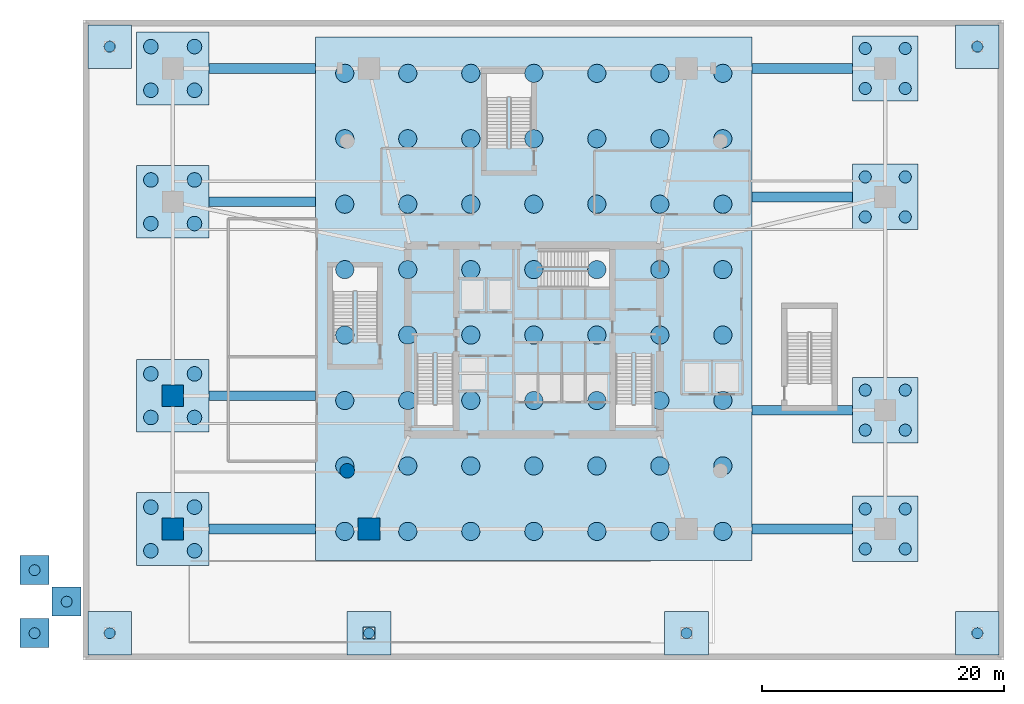
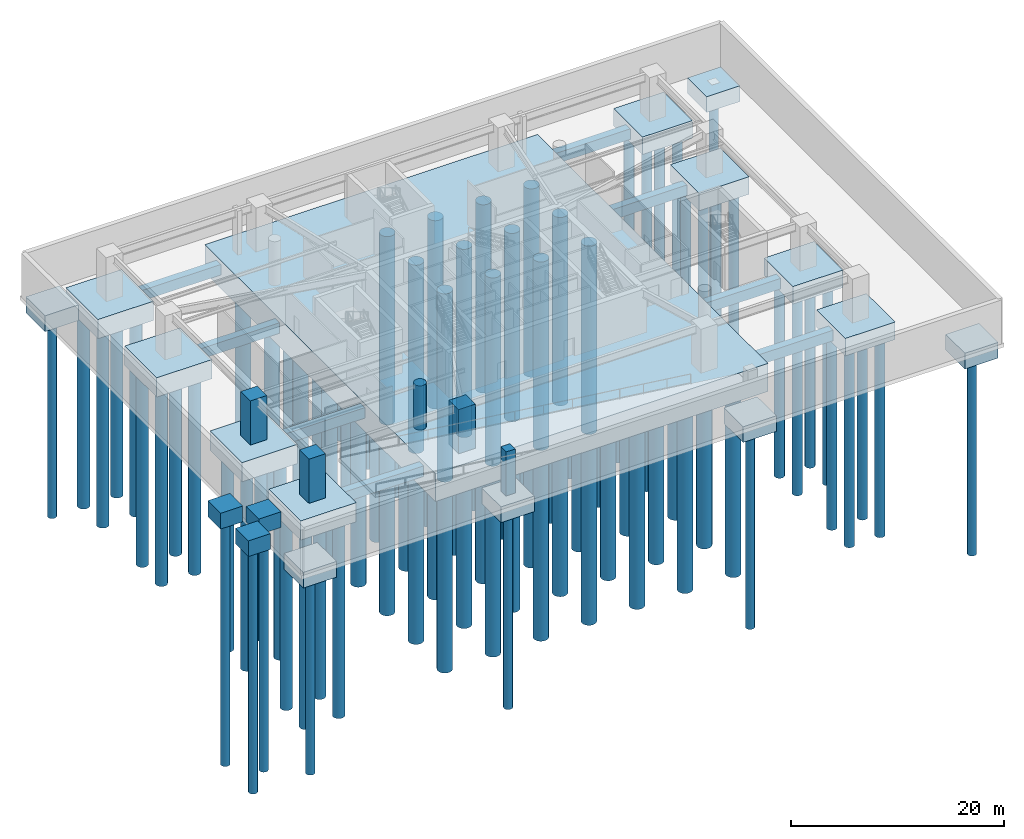
# One storey, part 1 of 11: 97 piles, 26 footings, 5 columns.
"""IFC4 building model written with IfcOpenShell, lengths in metres."""

from ifc_helpers import new_model, si_unit, direction, frame, origin, origin_2d, place, context, subcontext, project, spatial, rectangle, circle, extrude, material, layer, layer_set, material_profile, profile_set, type_object, element, save


model = new_model("IFC4")

# Units and contexts
model_context = context("Model", 3, precision=1e-05, world=origin(), true_north=direction((0.0, 1.0)))
body_context = subcontext(model_context, "Body", "Model", "MODEL_VIEW")
ifc_project = project(units=[si_unit("LENGTHUNIT", "METRE"), si_unit("AREAUNIT", "SQUARE_METRE"), si_unit("VOLUMEUNIT", "CUBIC_METRE"), si_unit("PLANEANGLEUNIT", "RADIAN"), si_unit("MASSUNIT", "GRAM", prefix="KILO")], contexts=[model_context])

# Site, building, storey
site_placement = place(None, origin())
site = spatial("IfcSite", under=ifc_project, at=site_placement, CompositionType="ELEMENT")
building_placement = place(site_placement, origin())
building = spatial("IfcBuilding", under=site, at=building_placement, Name="Qarnah Convention Tower", CompositionType="ELEMENT")
storey_placement = place(building_placement, frame((0.0, 0.0, -5.39990234375)))
storey = spatial("IfcBuildingStorey", under=building, at=storey_placement, Name="B1", CompositionType="ELEMENT", Elevation=-5.39990234375)

# Footings
ifc_material_1 = material(Name="Concrete C50/60", Category="concrete")
ifc_layer_1 = layer(ifc_material_1, 1.199951171875)
ifc_layer_set_1 = layer_set([ifc_layer_1], Name="Concrete C50/60")
footing_type_1 = type_object("IfcFootingType", Name="FT-FBM-800X1200", PredefinedType="FOOTING_BEAM", material=ifc_layer_set_1)
for number, where, z_axis, x_axis, name in (
    (1, (14.800048828125, 10.800048828125, -1.64990234375), (0.0, 0.0, 1.0), (1.0, 0.0, 0.0), "Foundation tie beam 01"),
    (2, (14.800048828125, 21.800048828125, -1.64990234375), (0.0, 0.0, 1.0), (1.0, 0.0, 0.0), "Foundation tie beam 02"),
    (3, (14.800048828125, 37.800048828125, -1.64990234375), (0.0, 0.0, 1.0), (1.0, 0.0, 0.0), "Foundation tie beam 03"),
    (4, (14.800048828125, 48.800048828125, -1.64990234375), (0.0, 0.0, 1.0), (1.0, 0.0, 0.0), "Foundation tie beam 04"),
):
    element("IfcFooting", number, at=place(storey_placement, frame(where, z_axis=z_axis, x_axis=x_axis)), inside=storey, type_object=footing_type_1, Name=name, PredefinedType="FOOTING_BEAM", context=body_context, shape_type="SweptSolid", body=[
        extrude(rectangle(XDim=8.800048828125, YDim=0.800048828125, at=origin_2d()), origin(), (0.0, 0.0, 1.0), 1.199951171875),
    ])
for number, where, z_axis, x_axis, name in (
    (5, (59.35009765625, 10.800048828125, -1.64990234375), (0.0, 0.0, 1.0), (1.0, 0.0, 0.0), "Foundation tie beam 05"),
    (6, (59.35009765625, 20.60009765625, -1.64990234375), (0.0, 0.0, 1.0), (1.0, 0.0, 0.0), "Foundation tie beam 06"),
    (7, (59.35009765625, 38.199951171875, -1.64990234375), (0.0, 0.0, 1.0), (1.0, 0.0, 0.0), "Foundation tie beam 07"),
    (8, (59.35009765625, 48.800048828125, -1.64990234375), (0.0, 0.0, 1.0), (1.0, 0.0, 0.0), "Foundation tie beam 08"),
):
    element("IfcFooting", number, at=place(storey_placement, frame(where, z_axis=z_axis, x_axis=x_axis)), inside=storey, type_object=footing_type_1, Name=name, PredefinedType="FOOTING_BEAM", context=body_context, shape_type="SweptSolid", body=[
        extrude(rectangle(XDim=8.300048828125, YDim=0.800048828125, at=origin_2d()), origin(), (0.0, 0.0, 1.0), 1.199951171875),
    ])
ifc_layer_2 = layer(ifc_material_1, 1.800048828125)
ifc_layer_set_2 = layer_set([ifc_layer_2], Name="Concrete C50/60")
footing_type_2 = type_object("IfcFootingType", Name="FT-PAD-3600", PredefinedType="PAD_FOOTING", material=ifc_layer_set_2)
for number, where, z_axis, x_axis, name in (
    (9, (2.199951171875, 2.199951171875, -1.80029296875), (0.0, 0.0, 1.0), (1.0, 0.0, 0.0), "Perimeter pad footing 01"),
    (10, (73.800048828125, 2.199951171875, -1.80029296875), (0.0, 0.0, 1.0), (1.0, 0.0, 0.0), "Perimeter pad footing 02"),
    (11, (73.800048828125, 50.60009765625, -1.80029296875), (0.0, 0.0, 1.0), (1.0, 0.0, 0.0), "Perimeter pad footing 03"),
    (12, (2.199951171875, 50.60009765625, -1.80029296875), (0.0, 0.0, 1.0), (1.0, 0.0, 0.0), "Perimeter pad footing 04"),
    (13, (23.60009765625, 2.199951171875, -1.80029296875), (0.0, 0.0, 1.0), (1.0, 0.0, 0.0), "Perimeter pad footing 05"),
    (14, (49.800048828125, 2.199951171875, -1.80029296875), (0.0, 0.0, 1.0), (1.0, 0.0, 0.0), "Perimeter pad footing 06"),
):
    element("IfcFooting", number, at=place(storey_placement, frame(where, z_axis=z_axis, x_axis=x_axis)), inside=storey, type_object=footing_type_2, Name=name, PredefinedType="PAD_FOOTING", context=body_context, shape_type="SweptSolid", body=[
        extrude(rectangle(XDim=3.60009765625, YDim=3.60009765625, at=origin_2d()), origin(), (0.0, 0.0, 1.0), 1.800048828125),
    ])
for number, where, z_axis, x_axis, name in (
    (15, (-4.0, 2.199951171875, 3.39990234375), (0.0, 0.0, 1.0), (1.0, 0.0, 0.0), "Ramp apron grade footing 1"),
    (16, (-4.0, 7.39990234375, 3.39990234375), (0.0, 0.0, 1.0), (1.0, 0.0, 0.0), "Ramp apron grade footing 2"),
    (17, (-1.35009765625, 4.800048828125, 3.39990234375), (0.0, 0.0, 1.0), (1.0, 0.0, 0.0), "Ramp apron east pad footing"),
):
    element("IfcFooting", number, at=place(storey_placement, frame(where, z_axis=z_axis, x_axis=x_axis)), inside=storey, type_object=footing_type_2, Name=name, PredefinedType="PAD_FOOTING", context=body_context, shape_type="SweptSolid", body=[
        extrude(rectangle(XDim=2.39990234375, YDim=2.39990234375, at=origin_2d()), origin(), (0.0, 0.0, 1.0), 1.800048828125),
    ])
ifc_layer_3 = layer(ifc_material_1, 2.0)
ifc_layer_set_3 = layer_set([ifc_layer_3], Name="Concrete C50/60")
footing_type_3 = type_object("IfcFootingType", Name="FT-PCAP-5400", PredefinedType="PILE_CAP", material=ifc_layer_set_3)
for number, where, z_axis, x_axis, name in (
    (18, (66.199951171875, 10.800048828125, -2.0), (0.0, 0.0, 1.0), (1.0, 0.0, 0.0), "Podium pile cap MC-04"),
    (19, (66.199951171875, 20.60009765625, -2.0), (0.0, 0.0, 1.0), (1.0, 0.0, 0.0), "Podium pile cap MC-05"),
    (20, (66.199951171875, 38.199951171875, -2.0), (0.0, 0.0, 1.0), (1.0, 0.0, 0.0), "Podium pile cap MC-06"),
    (21, (66.199951171875, 48.800048828125, -2.0), (0.0, 0.0, 1.0), (1.0, 0.0, 0.0), "Podium pile cap MC-07"),
):
    element("IfcFooting", number, at=place(storey_placement, frame(where, z_axis=z_axis, x_axis=x_axis)), inside=storey, type_object=footing_type_3, Name=name, PredefinedType="PILE_CAP", context=body_context, shape_type="SweptSolid", body=[
        extrude(rectangle(XDim=5.39990234375, YDim=5.39990234375, at=origin_2d()), origin(), (0.0, 0.0, 1.0), 2.0),
    ])
ifc_layer_4 = layer(ifc_material_1, 2.199951171875)
ifc_layer_set_4 = layer_set([ifc_layer_4], Name="Concrete C50/60")
footing_type_4 = type_object("IfcFootingType", Name="FT-PCAP-6000", PredefinedType="PILE_CAP", material=ifc_layer_set_4)
for number, where, z_axis, x_axis, name in (
    (22, (7.39990234375, 10.800048828125, -2.2001953125), (0.0, 0.0, 1.0), (1.0, 0.0, 0.0), "Podium pile cap MC-01"),
    (23, (7.39990234375, 21.800048828125, -2.2001953125), (0.0, 0.0, 1.0), (1.0, 0.0, 0.0), "Podium pile cap MC-12"),
    (24, (7.39990234375, 37.800048828125, -2.2001953125), (0.0, 0.0, 1.0), (1.0, 0.0, 0.0), "Podium pile cap MC-11"),
    (25, (7.39990234375, 48.800048828125, -2.2001953125), (0.0, 0.0, 1.0), (1.0, 0.0, 0.0), "Podium pile cap MC-10"),
):
    element("IfcFooting", number, at=place(storey_placement, frame(where, z_axis=z_axis, x_axis=x_axis)), inside=storey, type_object=footing_type_4, Name=name, PredefinedType="PILE_CAP", context=body_context, shape_type="SweptSolid", body=[
        extrude(rectangle(XDim=6.0, YDim=6.0, at=origin_2d()), origin(), (0.0, 0.0, 1.0), 2.199951171875),
    ])
ifc_layer_5 = layer(ifc_material_1, 3.199951171875)
ifc_layer_set_5 = layer_set([ifc_layer_5], Name="Concrete C50/60")
footing_type_5 = type_object("IfcFootingType", Name="FT-RAFT-3200", PredefinedType="CAISSON_FOUNDATION", material=ifc_layer_set_5)
footing_placement = place(storey_placement, frame((37.199951171875, 29.800048828125, -3.2001953125), z_axis=(0.0, 0.0, 1.0), x_axis=(1.0, 0.0, 0.0)))
element("IfcFooting", 26, at=footing_placement, inside=storey, type_object=footing_type_5, Name="Tower piled raft foundation RF1", PredefinedType="CAISSON_FOUNDATION", context=body_context, shape_type="SweptSolid", body=[
    extrude(rectangle(XDim=36.0, YDim=43.199951171875, at=origin_2d()), origin(), (0.0, 0.0, 1.0), 3.199951171875),
])

# Piles
ifc_material_profile_1 = material_profile(ifc_material_1, circle(Radius=0.60009765625, at=origin_2d()), Name="PILE-D1200")
ifc_profile_set_1 = profile_set([ifc_material_profile_1], Name="Concrete C50/60")
pile_type_1 = type_object("IfcPileType", Name="PL-BORED-1200", PredefinedType="BORED", material=ifc_profile_set_1)
for number, where, z_axis, x_axis, name in (
    (27, (5.60009765625, 9.0, -2.050048828125), (0.0, 0.0, -1.0), (1.0, 0.0, 0.0), "Bored pile PILE-CAP01-1"),
    (28, (5.60009765625, 12.60009765625, -2.050048828125), (0.0, 0.0, -1.0), (1.0, 0.0, 0.0), "Bored pile PILE-CAP01-2"),
    (29, (9.199951171875, 9.0, -2.050048828125), (0.0, 0.0, -1.0), (1.0, 0.0, 0.0), "Bored pile PILE-CAP01-3"),
    (30, (9.199951171875, 12.60009765625, -2.050048828125), (0.0, 0.0, -1.0), (1.0, 0.0, 0.0), "Bored pile PILE-CAP01-4"),
    (31, (5.60009765625, 20.0, -2.050048828125), (0.0, 0.0, -1.0), (1.0, 0.0, 0.0), "Bored pile PILE-CAP02-1"),
    (32, (5.60009765625, 23.60009765625, -2.050048828125), (0.0, 0.0, -1.0), (1.0, 0.0, 0.0), "Bored pile PILE-CAP02-2"),
    (33, (9.199951171875, 20.0, -2.050048828125), (0.0, 0.0, -1.0), (1.0, 0.0, 0.0), "Bored pile PILE-CAP02-3"),
    (34, (9.199951171875, 23.60009765625, -2.050048828125), (0.0, 0.0, -1.0), (1.0, 0.0, 0.0), "Bored pile PILE-CAP02-4"),
    (35, (5.60009765625, 36.0, -2.050048828125), (0.0, 0.0, -1.0), (1.0, 0.0, 0.0), "Bored pile PILE-CAP03-1"),
    (36, (5.60009765625, 39.60009765625, -2.050048828125), (0.0, 0.0, -1.0), (1.0, 0.0, 0.0), "Bored pile PILE-CAP03-2"),
    (37, (9.199951171875, 36.0, -2.050048828125), (0.0, 0.0, -1.0), (1.0, 0.0, 0.0), "Bored pile PILE-CAP03-3"),
    (38, (9.199951171875, 39.60009765625, -2.050048828125), (0.0, 0.0, -1.0), (1.0, 0.0, 0.0), "Bored pile PILE-CAP03-4"),
    (39, (5.60009765625, 47.0, -2.050048828125), (0.0, 0.0, -1.0), (1.0, 0.0, 0.0), "Bored pile PILE-CAP04-1"),
    (40, (5.60009765625, 50.60009765625, -2.050048828125), (0.0, 0.0, -1.0), (1.0, 0.0, 0.0), "Bored pile PILE-CAP04-2"),
    (41, (9.199951171875, 47.0, -2.050048828125), (0.0, 0.0, -1.0), (1.0, 0.0, 0.0), "Bored pile PILE-CAP04-3"),
    (42, (9.199951171875, 50.60009765625, -2.050048828125), (0.0, 0.0, -1.0), (1.0, 0.0, 0.0), "Bored pile PILE-CAP04-4"),
):
    element("IfcPile", number, at=place(storey_placement, frame(where, z_axis=z_axis, x_axis=x_axis)), inside=storey, type_object=pile_type_1, Name=name, PredefinedType="BORED", context=body_context, shape_type="SweptSolid", body=[
        extrude(circle(Radius=0.60009765625, at=origin_2d()), origin(), (0.0, 0.0, 1.0), 22.550048828125),
    ])
ifc_material_profile_2 = material_profile(ifc_material_1, circle(Radius=0.75, at=origin_2d()), Name="PILE-D1500")
ifc_profile_set_2 = profile_set([ifc_material_profile_2], Name="Concrete C50/60")
pile_type_2 = type_object("IfcPileType", Name="PL-BORED-1500", PredefinedType="BORED", material=ifc_profile_set_2)
for number, where, z_axis, x_axis, name in (
    (43, (21.60009765625, 10.60009765625, -3.050048828125), (0.0, 0.0, -1.0), (1.0, 0.0, 0.0), "Bored pile PILE-RF-001"),
    (44, (21.60009765625, 16.0, -3.050048828125), (0.0, 0.0, -1.0), (1.0, 0.0, 0.0), "Bored pile PILE-RF-002"),
    (45, (21.60009765625, 21.39990234375, -3.050048828125), (0.0, 0.0, -1.0), (1.0, 0.0, 0.0), "Bored pile PILE-RF-003"),
    (46, (21.60009765625, 26.800048828125, -3.050048828125), (0.0, 0.0, -1.0), (1.0, 0.0, 0.0), "Bored pile PILE-RF-004"),
    (47, (21.60009765625, 32.199951171875, -3.050048828125), (0.0, 0.0, -1.0), (1.0, 0.0, 0.0), "Bored pile PILE-RF-005"),
    (48, (21.60009765625, 37.60009765625, -3.050048828125), (0.0, 0.0, -1.0), (1.0, 0.0, 0.0), "Bored pile PILE-RF-006"),
    (49, (21.60009765625, 43.0, -3.050048828125), (0.0, 0.0, -1.0), (1.0, 0.0, 0.0), "Bored pile PILE-RF-007"),
    (50, (21.60009765625, 48.39990234375, -3.050048828125), (0.0, 0.0, -1.0), (1.0, 0.0, 0.0), "Bored pile PILE-RF-008"),
    (51, (26.800048828125, 10.60009765625, -3.050048828125), (0.0, 0.0, -1.0), (1.0, 0.0, 0.0), "Bored pile PILE-RF-009"),
    (52, (26.800048828125, 16.0, -3.050048828125), (0.0, 0.0, -1.0), (1.0, 0.0, 0.0), "Bored pile PILE-RF-010"),
    (53, (26.800048828125, 21.39990234375, -3.050048828125), (0.0, 0.0, -1.0), (1.0, 0.0, 0.0), "Bored pile PILE-RF-011"),
    (54, (26.800048828125, 26.800048828125, -3.050048828125), (0.0, 0.0, -1.0), (1.0, 0.0, 0.0), "Bored pile PILE-RF-012"),
    (55, (26.800048828125, 32.199951171875, -3.050048828125), (0.0, 0.0, -1.0), (1.0, 0.0, 0.0), "Bored pile PILE-RF-013"),
    (56, (26.800048828125, 37.60009765625, -3.050048828125), (0.0, 0.0, -1.0), (1.0, 0.0, 0.0), "Bored pile PILE-RF-014"),
    (57, (26.800048828125, 43.0, -3.050048828125), (0.0, 0.0, -1.0), (1.0, 0.0, 0.0), "Bored pile PILE-RF-015"),
    (58, (26.800048828125, 48.39990234375, -3.050048828125), (0.0, 0.0, -1.0), (1.0, 0.0, 0.0), "Bored pile PILE-RF-016"),
    (59, (32.0, 10.60009765625, -3.050048828125), (0.0, 0.0, -1.0), (1.0, 0.0, 0.0), "Bored pile PILE-RF-017"),
    (60, (32.0, 16.0, -3.050048828125), (0.0, 0.0, -1.0), (1.0, 0.0, 0.0), "Bored pile PILE-RF-018"),
    (61, (32.0, 21.39990234375, -3.050048828125), (0.0, 0.0, -1.0), (1.0, 0.0, 0.0), "Bored pile PILE-RF-019"),
    (62, (32.0, 26.800048828125, -3.050048828125), (0.0, 0.0, -1.0), (1.0, 0.0, 0.0), "Bored pile PILE-RF-020"),
    (63, (32.0, 32.199951171875, -3.050048828125), (0.0, 0.0, -1.0), (1.0, 0.0, 0.0), "Bored pile PILE-RF-021"),
    (64, (32.0, 37.60009765625, -3.050048828125), (0.0, 0.0, -1.0), (1.0, 0.0, 0.0), "Bored pile PILE-RF-022"),
    (65, (32.0, 43.0, -3.050048828125), (0.0, 0.0, -1.0), (1.0, 0.0, 0.0), "Bored pile PILE-RF-023"),
    (66, (32.0, 48.39990234375, -3.050048828125), (0.0, 0.0, -1.0), (1.0, 0.0, 0.0), "Bored pile PILE-RF-024"),
    (67, (37.199951171875, 10.60009765625, -3.050048828125), (0.0, 0.0, -1.0), (1.0, 0.0, 0.0), "Bored pile PILE-RF-025"),
    (68, (37.199951171875, 16.0, -3.050048828125), (0.0, 0.0, -1.0), (1.0, 0.0, 0.0), "Bored pile PILE-RF-026"),
    (69, (37.199951171875, 21.39990234375, -3.050048828125), (0.0, 0.0, -1.0), (1.0, 0.0, 0.0), "Bored pile PILE-RF-027"),
    (70, (37.199951171875, 26.800048828125, -3.050048828125), (0.0, 0.0, -1.0), (1.0, 0.0, 0.0), "Bored pile PILE-RF-028"),
    (71, (37.199951171875, 32.199951171875, -3.050048828125), (0.0, 0.0, -1.0), (1.0, 0.0, 0.0), "Bored pile PILE-RF-029"),
    (72, (37.199951171875, 37.60009765625, -3.050048828125), (0.0, 0.0, -1.0), (1.0, 0.0, 0.0), "Bored pile PILE-RF-030"),
    (73, (37.199951171875, 43.0, -3.050048828125), (0.0, 0.0, -1.0), (1.0, 0.0, 0.0), "Bored pile PILE-RF-031"),
    (74, (37.199951171875, 48.39990234375, -3.050048828125), (0.0, 0.0, -1.0), (1.0, 0.0, 0.0), "Bored pile PILE-RF-032"),
    (75, (42.39990234375, 10.60009765625, -3.050048828125), (0.0, 0.0, -1.0), (1.0, 0.0, 0.0), "Bored pile PILE-RF-033"),
    (76, (42.39990234375, 16.0, -3.050048828125), (0.0, 0.0, -1.0), (1.0, 0.0, 0.0), "Bored pile PILE-RF-034"),
    (77, (42.39990234375, 21.39990234375, -3.050048828125), (0.0, 0.0, -1.0), (1.0, 0.0, 0.0), "Bored pile PILE-RF-035"),
    (78, (42.39990234375, 26.800048828125, -3.050048828125), (0.0, 0.0, -1.0), (1.0, 0.0, 0.0), "Bored pile PILE-RF-036"),
    (79, (42.39990234375, 32.199951171875, -3.050048828125), (0.0, 0.0, -1.0), (1.0, 0.0, 0.0), "Bored pile PILE-RF-037"),
    (80, (42.39990234375, 37.60009765625, -3.050048828125), (0.0, 0.0, -1.0), (1.0, 0.0, 0.0), "Bored pile PILE-RF-038"),
    (81, (42.39990234375, 43.0, -3.050048828125), (0.0, 0.0, -1.0), (1.0, 0.0, 0.0), "Bored pile PILE-RF-039"),
    (82, (42.39990234375, 48.39990234375, -3.050048828125), (0.0, 0.0, -1.0), (1.0, 0.0, 0.0), "Bored pile PILE-RF-040"),
    (83, (47.60009765625, 10.60009765625, -3.050048828125), (0.0, 0.0, -1.0), (1.0, 0.0, 0.0), "Bored pile PILE-RF-041"),
    (84, (47.60009765625, 16.0, -3.050048828125), (0.0, 0.0, -1.0), (1.0, 0.0, 0.0), "Bored pile PILE-RF-042"),
    (85, (47.60009765625, 21.39990234375, -3.050048828125), (0.0, 0.0, -1.0), (1.0, 0.0, 0.0), "Bored pile PILE-RF-043"),
    (86, (47.60009765625, 26.800048828125, -3.050048828125), (0.0, 0.0, -1.0), (1.0, 0.0, 0.0), "Bored pile PILE-RF-044"),
    (87, (47.60009765625, 32.199951171875, -3.050048828125), (0.0, 0.0, -1.0), (1.0, 0.0, 0.0), "Bored pile PILE-RF-045"),
    (88, (47.60009765625, 37.60009765625, -3.050048828125), (0.0, 0.0, -1.0), (1.0, 0.0, 0.0), "Bored pile PILE-RF-046"),
    (89, (47.60009765625, 43.0, -3.050048828125), (0.0, 0.0, -1.0), (1.0, 0.0, 0.0), "Bored pile PILE-RF-047"),
    (90, (47.60009765625, 48.39990234375, -3.050048828125), (0.0, 0.0, -1.0), (1.0, 0.0, 0.0), "Bored pile PILE-RF-048"),
    (91, (52.800048828125, 10.60009765625, -3.050048828125), (0.0, 0.0, -1.0), (1.0, 0.0, 0.0), "Bored pile PILE-RF-049"),
    (92, (52.800048828125, 16.0, -3.050048828125), (0.0, 0.0, -1.0), (1.0, 0.0, 0.0), "Bored pile PILE-RF-050"),
    (93, (52.800048828125, 21.39990234375, -3.050048828125), (0.0, 0.0, -1.0), (1.0, 0.0, 0.0), "Bored pile PILE-RF-051"),
    (94, (52.800048828125, 26.800048828125, -3.050048828125), (0.0, 0.0, -1.0), (1.0, 0.0, 0.0), "Bored pile PILE-RF-052"),
    (95, (52.800048828125, 32.199951171875, -3.050048828125), (0.0, 0.0, -1.0), (1.0, 0.0, 0.0), "Bored pile PILE-RF-053"),
    (96, (52.800048828125, 37.60009765625, -3.050048828125), (0.0, 0.0, -1.0), (1.0, 0.0, 0.0), "Bored pile PILE-RF-054"),
    (97, (52.800048828125, 43.0, -3.050048828125), (0.0, 0.0, -1.0), (1.0, 0.0, 0.0), "Bored pile PILE-RF-055"),
    (98, (52.800048828125, 48.39990234375, -3.050048828125), (0.0, 0.0, -1.0), (1.0, 0.0, 0.0), "Bored pile PILE-RF-056"),
):
    element("IfcPile", number, at=place(storey_placement, frame(where, z_axis=z_axis, x_axis=x_axis)), inside=storey, type_object=pile_type_2, Name=name, PredefinedType="BORED", context=body_context, shape_type="SweptSolid", body=[
        extrude(circle(Radius=0.75, at=origin_2d()), origin(), (0.0, 0.0, 1.0), 21.550048828125),
    ])
ifc_material_profile_3 = material_profile(ifc_material_1, circle(Radius=0.5, at=origin_2d()), Name="PILE-D1000")
ifc_profile_set_3 = profile_set([ifc_material_profile_3], Name="Concrete C50/60")
pile_type_3 = type_object("IfcPileType", Name="PL-SUPP-1000", PredefinedType="SUPPORT", material=ifc_profile_set_3)
for number, where, z_axis, x_axis, name in (
    (99, (64.550048828125, 9.14990234375, -1.85009765625), (0.0, 0.0, -1.0), (1.0, 0.0, 0.0), "Bored pile PILE-CAP05-1"),
    (100, (64.550048828125, 12.449951171875, -1.85009765625), (0.0, 0.0, -1.0), (1.0, 0.0, 0.0), "Bored pile PILE-CAP05-2"),
    (101, (67.85009765625, 9.14990234375, -1.85009765625), (0.0, 0.0, -1.0), (1.0, 0.0, 0.0), "Bored pile PILE-CAP05-3"),
    (102, (67.85009765625, 12.449951171875, -1.85009765625), (0.0, 0.0, -1.0), (1.0, 0.0, 0.0), "Bored pile PILE-CAP05-4"),
    (103, (64.550048828125, 18.949951171875, -1.85009765625), (0.0, 0.0, -1.0), (1.0, 0.0, 0.0), "Bored pile PILE-CAP06-1"),
    (104, (64.550048828125, 22.25, -1.85009765625), (0.0, 0.0, -1.0), (1.0, 0.0, 0.0), "Bored pile PILE-CAP06-2"),
    (105, (67.85009765625, 18.949951171875, -1.85009765625), (0.0, 0.0, -1.0), (1.0, 0.0, 0.0), "Bored pile PILE-CAP06-3"),
    (106, (67.85009765625, 22.25, -1.85009765625), (0.0, 0.0, -1.0), (1.0, 0.0, 0.0), "Bored pile PILE-CAP06-4"),
    (107, (64.550048828125, 36.550048828125, -1.85009765625), (0.0, 0.0, -1.0), (1.0, 0.0, 0.0), "Bored pile PILE-CAP07-1"),
    (108, (64.550048828125, 39.85009765625, -1.85009765625), (0.0, 0.0, -1.0), (1.0, 0.0, 0.0), "Bored pile PILE-CAP07-2"),
    (109, (67.85009765625, 36.550048828125, -1.85009765625), (0.0, 0.0, -1.0), (1.0, 0.0, 0.0), "Bored pile PILE-CAP07-3"),
    (110, (67.85009765625, 39.85009765625, -1.85009765625), (0.0, 0.0, -1.0), (1.0, 0.0, 0.0), "Bored pile PILE-CAP07-4"),
    (111, (64.550048828125, 47.14990234375, -1.85009765625), (0.0, 0.0, -1.0), (1.0, 0.0, 0.0), "Bored pile PILE-CAP08-1"),
    (112, (64.550048828125, 50.449951171875, -1.85009765625), (0.0, 0.0, -1.0), (1.0, 0.0, 0.0), "Bored pile PILE-CAP08-2"),
    (113, (67.85009765625, 47.14990234375, -1.85009765625), (0.0, 0.0, -1.0), (1.0, 0.0, 0.0), "Bored pile PILE-CAP08-3"),
    (114, (67.85009765625, 50.449951171875, -1.85009765625), (0.0, 0.0, -1.0), (1.0, 0.0, 0.0), "Bored pile PILE-CAP08-4"),
):
    element("IfcPile", number, at=place(storey_placement, frame(where, z_axis=z_axis, x_axis=x_axis)), inside=storey, type_object=pile_type_3, Name=name, PredefinedType="SUPPORT", context=body_context, shape_type="SweptSolid", body=[
        extrude(circle(Radius=0.5, at=origin_2d()), origin(), (0.0, 0.0, 1.0), 22.75),
    ])
ifc_material_profile_4 = material_profile(ifc_material_1, circle(Radius=0.449951171875, at=origin_2d()), Name="PILE-D900")
ifc_profile_set_4 = profile_set([ifc_material_profile_4], Name="Concrete C50/60")
pile_type_4 = type_object("IfcPileType", Name="PL-SUPP-900", PredefinedType="SUPPORT", material=ifc_profile_set_4)
for number, where, z_axis, x_axis, name in (
    (115, (2.199951171875, 2.199951171875, -1.650146484375), (0.0, 0.0, -1.0), (1.0, 0.0, 0.0), "Bored pile PILE-PAD-01"),
    (116, (73.800048828125, 2.199951171875, -1.650146484375), (0.0, 0.0, -1.0), (1.0, 0.0, 0.0), "Bored pile PILE-PAD-02"),
    (117, (73.800048828125, 50.60009765625, -1.650146484375), (0.0, 0.0, -1.0), (1.0, 0.0, 0.0), "Bored pile PILE-PAD-03"),
    (118, (2.199951171875, 50.60009765625, -1.650146484375), (0.0, 0.0, -1.0), (1.0, 0.0, 0.0), "Bored pile PILE-PAD-04"),
    (119, (23.60009765625, 2.199951171875, -1.650146484375), (0.0, 0.0, -1.0), (1.0, 0.0, 0.0), "Bored pile PILE-PAD-05"),
    (120, (49.800048828125, 2.199951171875, -1.650146484375), (0.0, 0.0, -1.0), (1.0, 0.0, 0.0), "Bored pile PILE-PAD-06"),
):
    element("IfcPile", number, at=place(storey_placement, frame(where, z_axis=z_axis, x_axis=x_axis)), inside=storey, type_object=pile_type_4, Name=name, PredefinedType="SUPPORT", context=body_context, shape_type="SweptSolid", body=[
        extrude(circle(Radius=0.449951171875, at=origin_2d()), origin(), (0.0, 0.0, 1.0), 22.949951171875),
    ])
for number, where, z_axis, x_axis, name in (
    (121, (-4.0, 2.199951171875, 3.5498046875), (0.0, 0.0, -1.0), (1.0, 0.0, 0.0), "Bored pile PILE-APRON-1"),
    (122, (-4.0, 7.39990234375, 3.5498046875), (0.0, 0.0, -1.0), (1.0, 0.0, 0.0), "Bored pile PILE-APRON-2"),
    (123, (-1.35009765625, 4.800048828125, 3.5498046875), (0.0, 0.0, -1.0), (1.0, 0.0, 0.0), "Bored pile PILE-APRON-3"),
):
    element("IfcPile", number, at=place(storey_placement, frame(where, z_axis=z_axis, x_axis=x_axis)), inside=storey, type_object=pile_type_4, Name=name, PredefinedType="SUPPORT", context=body_context, shape_type="SweptSolid", body=[
        extrude(circle(Radius=0.449951171875, at=origin_2d()), origin(), (0.0, 0.0, 1.0), 28.14990234375),
    ])

# Columns
ifc_material_2 = material(Name="Concrete C60/75", Category="concrete")
ifc_material_profile_5 = material_profile(ifc_material_2, circle(Radius=0.60009765625, at=origin_2d()), Name="RC-COL-D1200")
ifc_profile_set_5 = profile_set([ifc_material_profile_5], Name="Concrete C60/75")
column_type_1 = type_object("IfcColumnType", Name="COL-B1-D1200", PredefinedType="COLUMN", material=ifc_profile_set_5)
column_1_placement = place(storey_placement, frame((21.800048828125, 15.60009765625, 0.0), z_axis=(0.0, 0.0, 1.0), x_axis=(1.0, 0.0, 0.0)))
element("IfcColumn", 124, at=column_1_placement, inside=storey, type_object=column_type_1, Name="Basement garage column 01", PredefinedType="COLUMN", context=body_context, shape_type="SweptSolid", body=[
    extrude(circle(Radius=0.60009765625, at=origin_2d()), origin(), (0.0, 0.0, 1.0), 5.0498046875),
])
ifc_material_profile_6 = material_profile(ifc_material_2, rectangle(XDim=1.800048828125, YDim=1.800048828125, at=origin_2d()), Name="RC-COL-1800X1800")
ifc_profile_set_6 = profile_set([ifc_material_profile_6], Name="Concrete C60/75")
column_type_2 = type_object("IfcColumnType", Name="COL-MC1800", PredefinedType="COLUMN", material=ifc_profile_set_6)
for number, where, z_axis, x_axis, name in (
    (125, (7.39990234375, 10.800048828125, 0.0), (0.0, 0.0, 1.0), (1.0, 0.0, 0.0), "B1 plumb column MC-01"),
    (126, (23.60009765625, 10.800048828125, 0.0), (0.0, 0.0, 1.0), (1.0, 0.0, 0.0), "B1 plumb column MC-02"),
    (127, (7.39990234375, 21.800048828125, 0.0), (0.0, 0.0, 1.0), (1.0, 0.0, 0.0), "B1 plumb column MC-12"),
):
    element("IfcColumn", number, at=place(storey_placement, frame(where, z_axis=z_axis, x_axis=x_axis)), inside=storey, type_object=column_type_2, Name=name, PredefinedType="COLUMN", context=body_context, shape_type="SweptSolid", body=[
        extrude(rectangle(XDim=1.800048828125, YDim=1.800048828125, at=origin_2d()), origin(), (0.0, 0.0, 1.0), 5.0498046875),
    ])
ifc_material_profile_7 = material_profile(ifc_material_2, rectangle(XDim=1.0, YDim=1.0, at=origin_2d()), Name="RC-COL-1000X1000")
ifc_profile_set_7 = profile_set([ifc_material_profile_7], Name="Concrete C60/75")
column_type_3 = type_object("IfcColumnType", Name="COL-Z3-1000", PredefinedType="COLUMN", material=ifc_profile_set_7)
column_2_placement = place(storey_placement, frame((23.60009765625, 2.199951171875, 0.0), z_axis=(0.0, 0.0, 1.0), x_axis=(1.0, 0.0, 0.0)))
element("IfcColumn", 128, at=column_2_placement, inside=storey, type_object=column_type_3, Name="B1 south terrace support column 01", PredefinedType="COLUMN", context=body_context, shape_type="SweptSolid", body=[
    extrude(rectangle(XDim=1.0, YDim=1.0, at=origin_2d()), origin(), (0.0, 0.0, 1.0), 5.0498046875),
])

save(model, "model.ifc")
